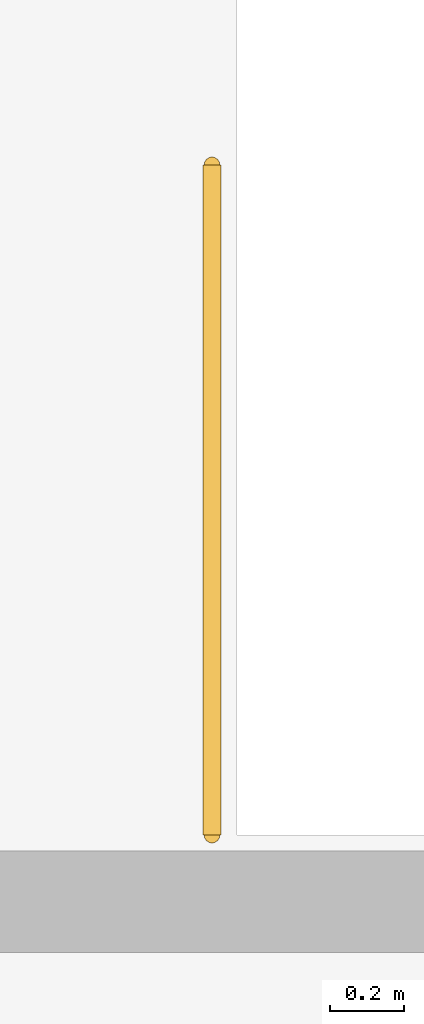
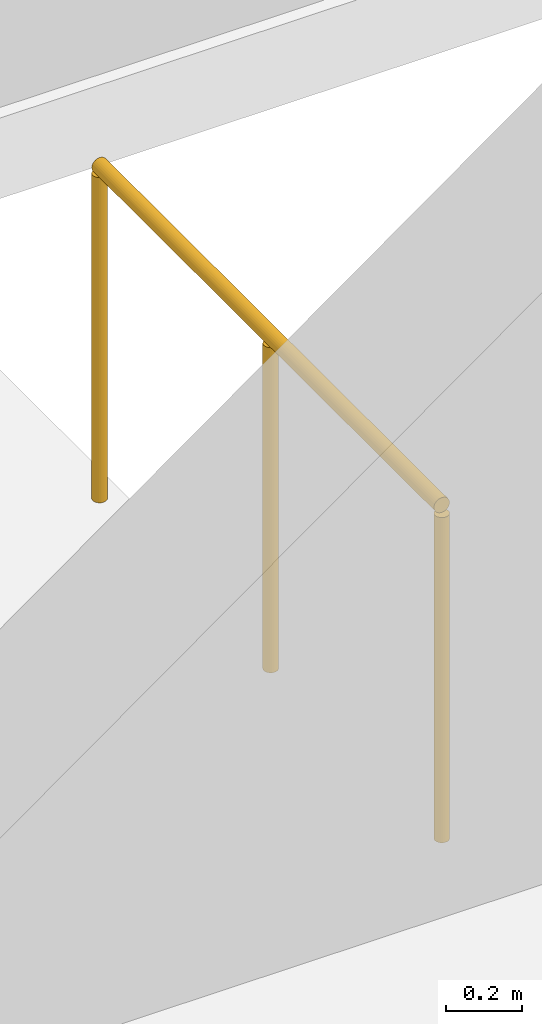
# One storey, part 30 of 32: 1 railing.
"""IFC4 building model written with IfcOpenShell, lengths in metres."""

from ifc_helpers import new_model, si_unit, direction, frame, origin, origin_2d, place, context, subcontext, project, spatial, circle, extrude, material, type_object, element, save


model = new_model("IFC4")

# Units and contexts
model_context = context("Model", 3, precision=1e-05, world=origin(), true_north=direction((0.0, 1.0)))
body_context = subcontext(model_context, "Body", "Model", "MODEL_VIEW")
ifc_project = project(units=[si_unit("LENGTHUNIT", "METRE"), si_unit("AREAUNIT", "SQUARE_METRE"), si_unit("VOLUMEUNIT", "CUBIC_METRE"), si_unit("PLANEANGLEUNIT", "RADIAN"), si_unit("MASSUNIT", "GRAM", prefix="KILO")], contexts=[model_context])

# Site, building, storey
site_placement = place(None, origin())
site = spatial("IfcSite", under=ifc_project, at=site_placement, CompositionType="ELEMENT")
building_placement = place(site_placement, origin())
building = spatial("IfcBuilding", under=site, at=building_placement, Name="Kranzveld Transit Interchange", CompositionType="ELEMENT")
storey_placement = place(building_placement, frame((0.0, 0.0, 17.199951171875)))
storey = spatial("IfcBuildingStorey", under=building, at=storey_placement, Name="L04", CompositionType="ELEMENT", Elevation=17.199951171875)

# Railing
ifc_material = material(Name="Steel S355JR", Category="steel")
railing_type = type_object("IfcRailingType", Name="Stair Well Guardrail Steel 1100", PredefinedType="GUARDRAIL", material=ifc_material)
railing_placement = place(storey_placement, frame((104.14990234375, 74.27001953125, 0.0)))
element("IfcRailing", 1, at=railing_placement, inside=storey, type_object=railing_type, Name="L04 ST-V4A top well guard 1", PredefinedType="GUARDRAIL", context=body_context, shape_type="SweptSolid", body=[
    extrude(circle(Radius=0.02392578125, at=origin_2d()), frame((0.0, 0.0, 1.076171875), z_axis=(0.0, 1.0, 0.0), x_axis=(-1.0, 0.0, 0.0)), (0.0, 0.0, 1.0), 1.81005859375),
    extrude(circle(Radius=0.02099609375, at=origin_2d()), origin(), (0.0, 0.0, 1.0), 1.050048828125),
    extrude(circle(Radius=0.02099609375, at=origin_2d()), frame((0.0, 0.905029296875, 0.0)), (0.0, 0.0, 1.0), 1.050048828125),
    extrude(circle(Radius=0.02099609375, at=origin_2d()), frame((0.0, 1.81005859375, 0.0)), (0.0, 0.0, 1.0), 1.050048828125),
])

save(model, "model.ifc")
